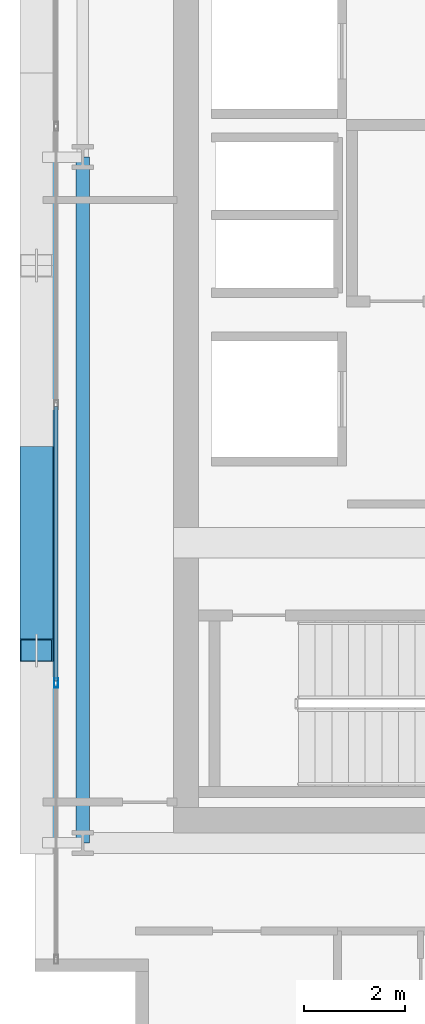
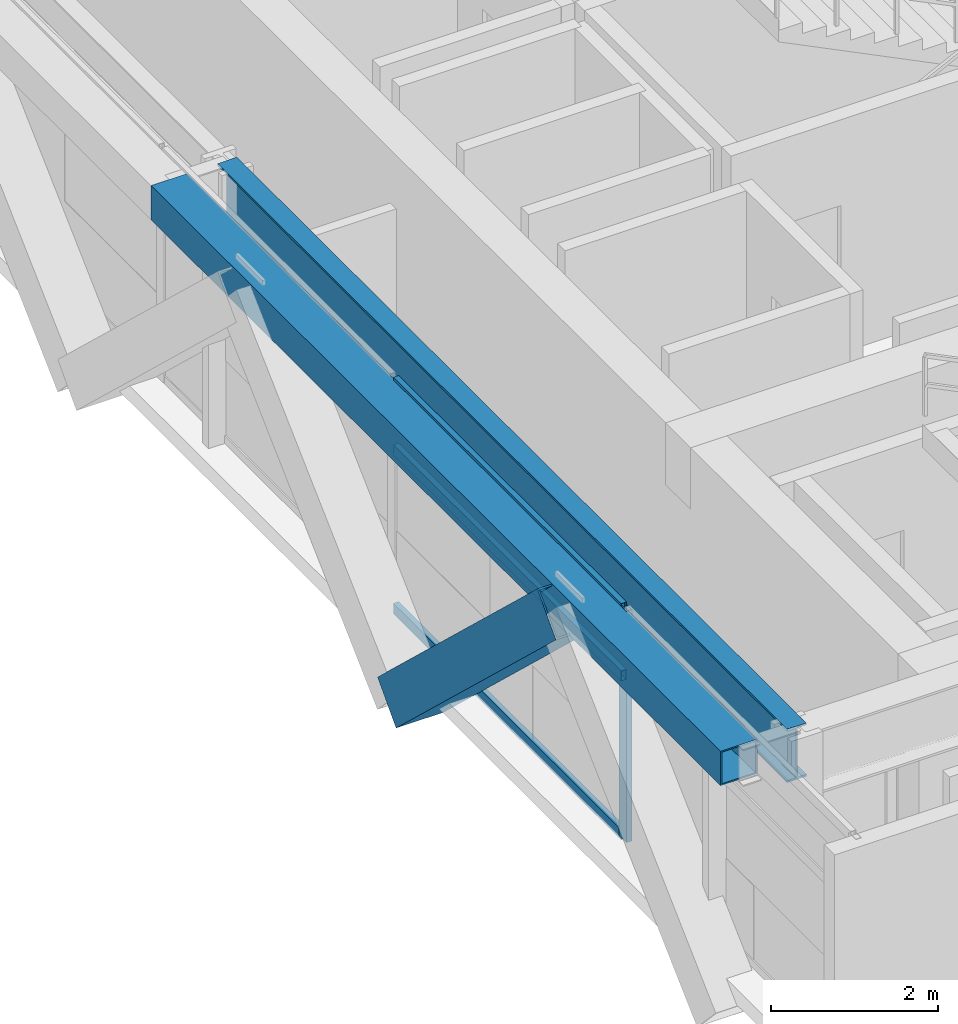
# One storey, part 4 of 32: 5 members, 2 beams, 1 element without a shape of its own.
"""IFC4 building model written with IfcOpenShell, lengths in metres."""

from ifc_helpers import new_model, si_unit, direction, frame, origin, origin_2d, place, context, subcontext, project, spatial, hollow_rectangle, i_section, extrude, source, transform, mapped, material, layer, layer_set, material_profile, profile_set, type_object, element, aggregate, save


model = new_model("IFC4")

# Units and contexts
model_context = context("Model", 3, precision=1e-05, world=origin(), true_north=direction((0.0, 1.0)))
body_context = subcontext(model_context, "Body", "Model", "MODEL_VIEW")
ifc_project = project(units=[si_unit("LENGTHUNIT", "METRE"), si_unit("AREAUNIT", "SQUARE_METRE"), si_unit("VOLUMEUNIT", "CUBIC_METRE"), si_unit("PLANEANGLEUNIT", "RADIAN"), si_unit("MASSUNIT", "GRAM", prefix="KILO")], contexts=[model_context])

# Site, building, storey
site_placement = place(None, origin())
site = spatial("IfcSite", under=ifc_project, at=site_placement, CompositionType="ELEMENT")
building_placement = place(site_placement, origin())
building = spatial("IfcBuilding", under=site, at=building_placement, Name="Ocotamira Hotel", CompositionType="ELEMENT")
storey_placement = place(building_placement, frame((0.0, 0.0, 166.800048828125)))
storey = spatial("IfcBuildingStorey", under=building, at=storey_placement, Name="L41", CompositionType="ELEMENT", Elevation=166.800048828125)

# Beams
ifc_material_1 = material(Name="Steel ASTM A992 Grade 50", Category="steel")
ifc_material_profile_1 = material_profile(ifc_material_1, i_section(OverallWidth=0.26611328125, OverallDepth=0.779052734375, WebThickness=0.0166015625, FlangeThickness=0.030029296875, FilletRadius=0.01806640625, at=origin_2d()), Name="W30X148")
ifc_profile_set_1 = profile_set([ifc_material_profile_1], Name="Steel ASTM A992 Grade 50")
beam_type_1 = type_object("IfcBeamType", Name="BM-GIRD-W30X148", PredefinedType="BEAM", material=ifc_profile_set_1)
shared_shape_1 = source(origin(), body_context, "Body", "SweptSolid", [
    extrude(i_section(OverallWidth=0.26611328125, OverallDepth=0.779052734375, WebThickness=0.0166015625, FlangeThickness=0.030029296875, FilletRadius=0.01806640625, at=origin_2d()), origin(), (0.0, 0.0, 1.0), 13.599853515625),
])
beam_1_placement = place(storey_placement, frame((8.949951171875, 14.550048828125, 2.98046875), z_axis=(0.0, 1.0, 0.0), x_axis=(-1.0, 0.0, 0.0)))
element("IfcBeam", 1, at=beam_1_placement, inside=storey, type_object=beam_type_1, Name="L41 Beam X8.95 Y14.55-28.15", PredefinedType="BEAM", context=body_context, shape_type="MappedRepresentation", body=[
    mapped(shared_shape_1, transform((0.0, 0.0, 0.0), scale=1.0)),
])
ifc_material_2 = material(Name="Steel ASTM A500 Grade C", Category="steel")
ifc_material_profile_2 = material_profile(ifc_material_2, hollow_rectangle(XDim=0.5, YDim=0.5, WallThickness=0.02001953125, at=origin_2d()), Name="HSS500X500X20")
ifc_profile_set_2 = profile_set([ifc_material_profile_2], Name="Steel ASTM A500 Grade C")
beam_type_2 = type_object("IfcBeamType", Name="BM-SPAN-HSS500", PredefinedType="USERDEFINED", material=ifc_profile_set_2)
shared_shape_2 = source(origin(), body_context, "Body", "SweptSolid", [
    extrude(hollow_rectangle(XDim=0.5, YDim=0.5, WallThickness=0.02001953125, at=origin_2d()), origin(), (0.0, 0.0, 1.0), 13.599853515625),
])
beam_2_placement = place(storey_placement, frame((8.14990234375, 14.550048828125, 3.119873046875), z_axis=(0.0, 1.0, 0.0), x_axis=(-1.0, 0.0, 0.0)))
element("IfcBeam", 2, at=beam_2_placement, inside=storey, type_object=beam_type_2, Name="L41 Edge Spandrel W Y14.55-28.15", ObjectType="SPANDREL", PredefinedType="USERDEFINED", context=body_context, shape_type="MappedRepresentation", body=[
    mapped(shared_shape_2, transform((0.0, 0.0, 0.0), scale=1.0)),
])

# Member
ifc_material_3 = material(Name="Pale-metal coated steel ASTM A913 Grade 65", Category="steel")
ifc_material_profile_3 = material_profile(ifc_material_3, hollow_rectangle(XDim=0.64990234375, YDim=0.64990234375, WallThickness=0.02197265625, at=origin_2d()), Name="BOX650X650X22")
ifc_profile_set_3 = profile_set([ifc_material_profile_3], Name="Pale-metal coated steel ASTM A913 Grade 65")
member_type_1 = type_object("IfcMemberType", Name="MEM-EXO-BOX650", PredefinedType="BRACE", material=ifc_profile_set_3)
shared_shape_3 = source(origin(), body_context, "Body", "SweptSolid", [
    extrude(hollow_rectangle(XDim=0.64990234375, YDim=0.64990234375, WallThickness=0.02197265625, at=origin_2d()), origin(), (0.0, 0.0, 1.0), 5.24658203125),
])
member_1_placement = place(storey_placement, frame((8.030029296875, 22.183349609375, -0.47998046875), z_axis=(0.0, -0.72746596067, 0.686143772154), x_axis=(1.0, 0.0, 0.0)))
element("IfcMember", 3, at=member_1_placement, inside=storey, type_object=member_type_1, Name="L41 Exoskeleton Diagrid W0.2", PredefinedType="BRACE", context=body_context, shape_type="MappedRepresentation", body=[
    mapped(shared_shape_3, transform((0.0, 0.0, 0.0), scale=1.0)),
])

# Curtain wall, members
ifc_material_4 = material(Name="Anodised pale-metal aluminium and solar glass", Category="aluminium")
ifc_layer = layer(ifc_material_4, 0.199951171875)
ifc_layer_set = layer_set([ifc_layer], Name="Anodised pale-metal aluminium and solar glass")
curtain_wall_type = type_object("IfcCurtainWallType", Name="CW-SYS4-Z3", PredefinedType="NOTDEFINED", material=ifc_layer_set)
curtain_wall_placement = place(storey_placement, origin())
curtain_wall = element("IfcCurtainWall", 4, at=curtain_wall_placement, inside=storey, type_object=curtain_wall_type, Name="L41 Curtain Wall CW-4 CW-L41-W", PredefinedType="NOTDEFINED")
ifc_material_5 = material(Name="Anodised pale-metal aluminium 6063-T6", Category="aluminium")
ifc_material_profile_4 = material_profile(ifc_material_5, hollow_rectangle(XDim=0.074951171875, YDim=0.14990234375, WallThickness=0.006103515625, at=origin_2d()), Name="HSS150X75X6")
ifc_profile_set_4 = profile_set([ifc_material_profile_4], Name="Anodised pale-metal aluminium 6063-T6")
member_type_2 = type_object("IfcMemberType", Name="CWT-150X75", PredefinedType="USERDEFINED", material=ifc_profile_set_4)
shared_shape_4 = source(origin(), body_context, "Body", "SweptSolid", [
    extrude(hollow_rectangle(XDim=0.074951171875, YDim=0.14990234375, WallThickness=0.006103515625, at=origin_2d()), origin(), (0.0, 0.0, 1.0), 5.43994140625),
])
member_2_placement = place(storey_placement, frame((8.419921875, 17.760009765625, 0.037353515625), z_axis=(0.0, 1.0, 0.0), x_axis=(-1.0, 0.0, 0.0)))
member_2 = element("IfcMember", 5, at=member_2_placement, type_object=member_type_2, Name="CW-4 transom 2.1", ObjectType="TRANSOM", PredefinedType="USERDEFINED", context=body_context, shape_type="MappedRepresentation", body=[
    mapped(shared_shape_4, transform((0.0, 0.0, 0.0), scale=1.0)),
])
member_3_placement = place(storey_placement, frame((8.419921875, 17.760009765625, 2.349853515625), z_axis=(0.0, 1.0, 0.0), x_axis=(-1.0, 0.0, 0.0)))
member_3 = element("IfcMember", 6, at=member_3_placement, type_object=member_type_2, Name="CW-4 transom 2.2", ObjectType="TRANSOM", PredefinedType="USERDEFINED", context=body_context, shape_type="MappedRepresentation", body=[
    mapped(shared_shape_4, transform((0.0, 0.0, 0.0), scale=1.0)),
])
member_4_placement = place(storey_placement, frame((8.419921875, 17.760009765625, 3.33251953125), z_axis=(0.0, 1.0, 0.0), x_axis=(-1.0, 0.0, 0.0)))
member_4 = element("IfcMember", 7, at=member_4_placement, type_object=member_type_2, Name="CW-4 transom 2.3", ObjectType="TRANSOM", PredefinedType="USERDEFINED", context=body_context, shape_type="MappedRepresentation", body=[
    mapped(shared_shape_4, transform((0.0, 0.0, 0.0), scale=1.0)),
])
ifc_material_profile_5 = material_profile(ifc_material_5, hollow_rectangle(XDim=0.080078125, YDim=0.179931640625, WallThickness=0.006103515625, at=origin_2d()), Name="HSS180X80X6")
ifc_profile_set_5 = profile_set([ifc_material_profile_5], Name="Anodised pale-metal aluminium 6063-T6")
member_type_3 = type_object("IfcMemberType", Name="CWM-180X75", PredefinedType="MULLION", material=ifc_profile_set_5)
shared_shape_5 = source(origin(), body_context, "Body", "SweptSolid", [
    extrude(hollow_rectangle(XDim=0.080078125, YDim=0.179931640625, WallThickness=0.006103515625, at=origin_2d()), origin(), (0.0, 0.0, 1.0), 3.369873046875),
])
member_5_placement = place(storey_placement, frame((8.419921875, 17.719970703125, 0.0), z_axis=(0.0, 0.0, 1.0), x_axis=(-1.0, 0.0, 0.0)))
member_5 = element("IfcMember", 8, at=member_5_placement, type_object=member_type_3, Name="CW-4 mullion 2", PredefinedType="MULLION", context=body_context, shape_type="MappedRepresentation", body=[
    mapped(shared_shape_5, transform((0.0, 0.0, 0.0), scale=1.0)),
])
aggregate(curtain_wall, [member_5, member_2, member_3, member_4])

save(model, "model.ifc")
